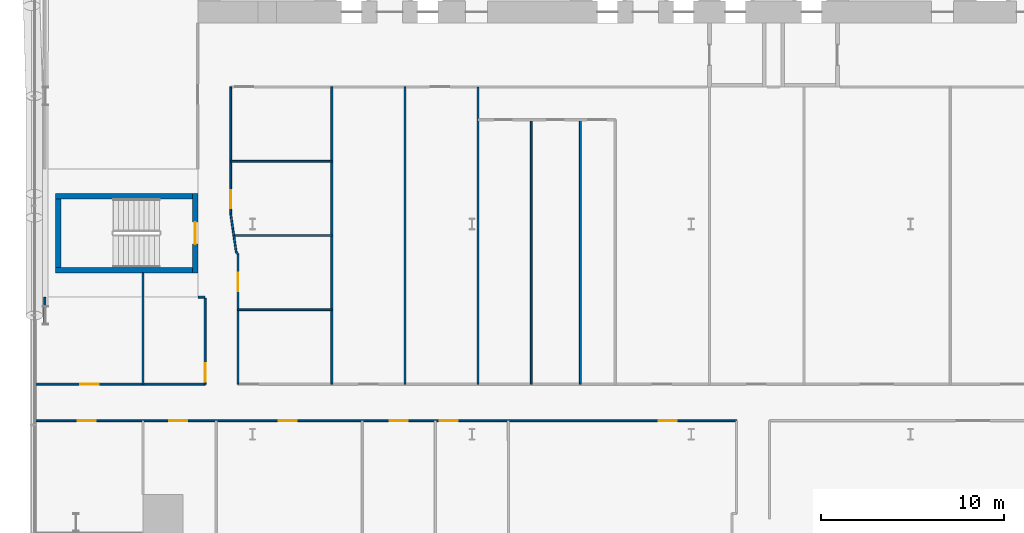
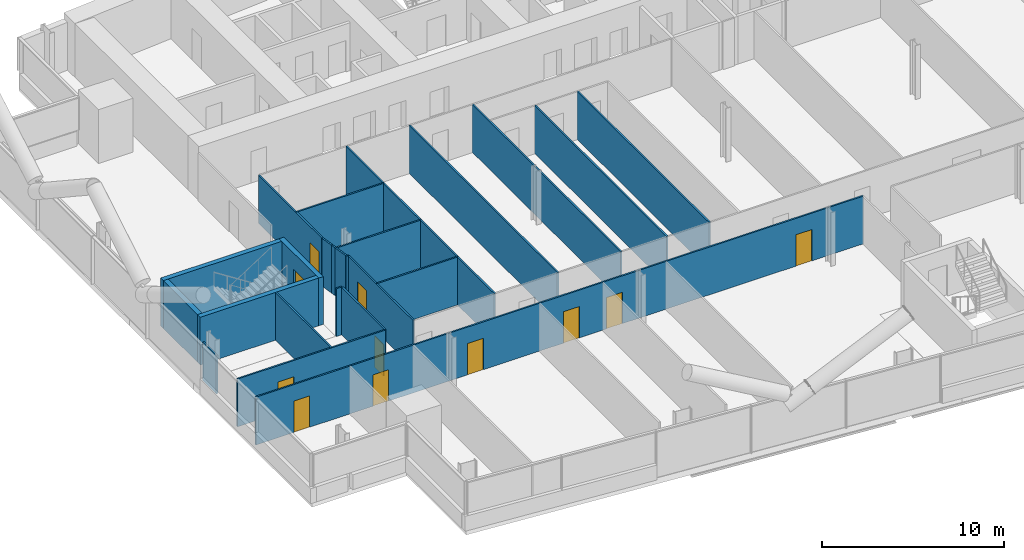
# One storey, part 13 of 27: 24 walls, 11 doors, 11 openings.
"""IFC4 building model written with IfcOpenShell, lengths in metres."""

import ifcopenshell
import ifcopenshell.guid

model = None  # the IFC model being written
_history = None  # IfcOwnerHistory: only IFC2X3 demands one
_inside = {}  # id of a spatial element -> (the spatial element, [elements in it])
_under = {}  # id of a project, library or spatial element -> (it, [spatial elements below it])
_declared = {}  # id of a project -> (the project, [libraries it declares])
_typed = {}  # id of a type object -> (the type object, [elements of that type])
_made_of = {}  # id of a material, layer set ... -> (it, [elements and type objects made of it])


def new_model(schema):
    """Start an empty IFC model of exactly this schema.

    Asked for "IFC4X3", IfcOpenShell would pick the latest addendum, in which some entities
    have other attributes; the version numbers below select the first issue.
    IFC2X3 requires an IfcOwnerHistory on every rooted entity: one is made here for all.
    """
    global model, _history
    if schema == "IFC4X3":
        model = ifcopenshell.file(schema_version=(4, 3, 0, 0))
    else:
        model = ifcopenshell.file(schema=schema)
    _inside.clear()
    _under.clear()
    _declared.clear()
    _typed.clear()
    _made_of.clear()
    _history = None
    if model.schema == "IFC2X3":
        org = make("IfcOrganization", Name="unknown")
        user = make(
            "IfcPersonAndOrganization",
            ThePerson=make("IfcPerson", FamilyName="unknown"),
            TheOrganization=org,
        )
        app = make(
            "IfcApplication",
            ApplicationDeveloper=org,
            Version="unknown",
            ApplicationFullName="unknown",
            ApplicationIdentifier="unknown",
        )
        _history = make(
            "IfcOwnerHistory",
            OwningUser=user,
            OwningApplication=app,
            ChangeAction="ADDED",
            CreationDate=0,
        )
    return model


def make(cls, **values):
    """One entity of the class cls with the attributes given. An attribute that is None is left unset."""
    return model.create_entity(
        cls, **{name: value for name, value in values.items() if value is not None}
    )


def rooted(cls, **values):
    """An entity with a GlobalId (a new one), such as an element, a storey or a relation."""
    return make(cls, GlobalId=ifcopenshell.guid.new(), OwnerHistory=_history, **values)


def si_unit(unit_type, name, prefix=None):
    """IfcSIUnit, for example si_unit("LENGTHUNIT", "METRE", prefix="MILLI")."""
    return make("IfcSIUnit", UnitType=unit_type, Prefix=prefix, Name=name)


def assignment(units):
    """IfcUnitAssignment: the units of a project."""
    return None if units is None else make("IfcUnitAssignment", Units=units)


def point(xyz):
    """IfcCartesianPoint."""
    return None if xyz is None else make("IfcCartesianPoint", Coordinates=xyz)


def direction(xyz):
    """IfcDirection."""
    return None if xyz is None else make("IfcDirection", DirectionRatios=xyz)


def frame(location, z_axis=None, x_axis=None):
    """IfcAxis2Placement3D, a coordinate frame: its origin and axes. An axis left out is left unset."""
    return make(
        "IfcAxis2Placement3D",
        Location=point(location),
        Axis=direction(z_axis),
        RefDirection=direction(x_axis),
    )


def frame_2d(location, x_axis=None):
    """IfcAxis2Placement2D, a coordinate frame in the plane: its origin and x axis."""
    return make(
        "IfcAxis2Placement2D", Location=point(location), RefDirection=direction(x_axis)
    )


def origin():
    """The frame at (0, 0, 0) with its axes left unset."""
    return frame((0.0, 0.0, 0.0))


def place(relative_to, where):
    """IfcLocalPlacement: puts the frame where relative to a parent placement (None: the world)."""
    return make(
        "IfcLocalPlacement", PlacementRelTo=relative_to, RelativePlacement=where
    )


def context(
    kind, dimensions, precision=None, world=None, true_north=None, identifier=None
):
    """IfcGeometricRepresentationContext, for example the 3D "Model" context."""
    return make(
        "IfcGeometricRepresentationContext",
        ContextIdentifier=identifier,
        ContextType=kind,
        CoordinateSpaceDimension=dimensions,
        Precision=precision,
        WorldCoordinateSystem=world,
        TrueNorth=true_north,
    )


def subcontext(parent, identifier, kind, view, scale=None):
    """IfcGeometricRepresentationSubContext, for example "Body" below "Model"."""
    return make(
        "IfcGeometricRepresentationSubContext",
        ContextIdentifier=identifier,
        ContextType=kind,
        ParentContext=parent,
        TargetScale=scale,
        TargetView=view,
    )


def project(units=None, contexts=None):
    """IfcProject with its units and contexts."""
    return rooted(
        "IfcProject",
        Name="project",
        RepresentationContexts=contexts,
        UnitsInContext=assignment(units),
    )


def spatial(cls, under=None, at=None, **own):
    """A site, building, storey or space (cls), placed at a placement, below another one or the project."""
    s = rooted(cls, ObjectPlacement=at, **own)
    if under is not None:
        _under.setdefault(under.id(), (under, []))[1].append(s)
    return s


def profile(cls, at=None, kind="AREA", **sizes):
    """A parametric profile (cls). Its sizes go by their IFC names, for example OverallWidth=200.0."""
    return make(cls, ProfileType=kind, Position=at, **sizes)


def rectangle(**sizes):
    """IfcRectangleProfileDef."""
    return profile("IfcRectangleProfileDef", **sizes)


def extrude(swept, where, along, depth):
    """IfcExtrudedAreaSolid: the profile swept, set in the frame where, extruded along a direction by depth."""
    return make(
        "IfcExtrudedAreaSolid",
        SweptArea=swept,
        Position=where,
        ExtrudedDirection=direction(along),
        Depth=depth,
    )


def shape(context_of_items, identifier, shape_type, items):
    """IfcShapeRepresentation: the items that make up one representation, for example the "Body"."""
    return make(
        "IfcShapeRepresentation",
        ContextOfItems=context_of_items,
        RepresentationIdentifier=identifier,
        RepresentationType=shape_type,
        Items=items,
    )


def material(Name=None, Category=None):
    """IfcMaterial."""
    return make("IfcMaterial", Name=Name, Category=Category)


def layer(
    of_material, thickness, ventilated=None, Name=None, Category=None, Priority=None
):
    """IfcMaterialLayer: one layer of a wall or slab, of a material (None: an air gap)."""
    return make(
        "IfcMaterialLayer",
        Material=of_material,
        LayerThickness=thickness,
        IsVentilated=ventilated,
        Name=Name,
        Category=Category,
        Priority=Priority,
    )


def layer_set(layers, Name=None):
    """IfcMaterialLayerSet."""
    return make("IfcMaterialLayerSet", MaterialLayers=layers, LayerSetName=Name)


def made_of(thing, what):
    """Note that an element or type object is made of a material, layer set ...; save() writes the relation."""
    if what is not None:
        _made_of.setdefault(what.id(), (what, []))[1].append(thing)
    return thing


def type_object(cls, material=None, **own):
    """A type object (cls), such as IfcWallType, which elements share."""
    return made_of(rooted(cls, **own), material)


def element(
    cls,
    number,
    at=None,
    inside=None,
    cuts=None,
    type_object=None,
    material=None,
    context=None,
    identifier="Body",
    shape_type=None,
    held_by="IfcProductDefinitionShape",
    body=None,
    shapes=None,
    **own,
):
    """One element of the class cls, such as IfcWall. Its Tag is "e" and its number.

    at: its placement. inside: the storey or other place that contains it. cuts: it is an
    opening in that element (IfcRelVoidsElement). A single representation is given by context,
    identifier, shape_type and body (its items); several are given by shapes. held_by: the class
    of the entity that holds the representations. save() writes the other relations.
    """
    e = rooted(cls, Tag="e%d" % number, ObjectPlacement=at, **own)
    if body is not None:
        shapes = [shape(context, identifier, shape_type, body)]
    if shapes is not None:
        e.Representation = make(held_by, Representations=shapes)
    if inside is not None:
        _inside.setdefault(inside.id(), (inside, []))[1].append(e)
    if cuts is not None:
        rooted(
            "IfcRelVoidsElement", RelatingBuildingElement=cuts, RelatedOpeningElement=e
        )
    if type_object is not None:
        _typed.setdefault(type_object.id(), (type_object, []))[1].append(e)
    return made_of(e, material)


def fill(opening, filler):
    """IfcRelFillsElement: the door or window that sits in an opening."""
    return rooted(
        "IfcRelFillsElement",
        RelatingOpeningElement=opening,
        RelatedBuildingElement=filler,
    )


def aggregate(whole, parts):
    """IfcRelAggregates: a whole, such as a stair, and the parts it consists of."""
    return rooted("IfcRelAggregates", RelatingObject=whole, RelatedObjects=parts)


def save(model, path):
    """Write the relations noted so far, then the file.

    IfcRelAggregates (storeys below a building ...), IfcRelContainedInSpatialStructure (elements
    in a storey), IfcRelDefinesByType, IfcRelAssociatesMaterial and IfcRelDeclares: one each for
    every whole, place, type object, material and project.
    """
    for whole, parts in _under.values():
        aggregate(whole, parts)
    for where, things in _inside.values():
        rooted(
            "IfcRelContainedInSpatialStructure",
            RelatedElements=things,
            RelatingStructure=where,
        )
    for kind, things in _typed.values():
        rooted("IfcRelDefinesByType", RelatedObjects=things, RelatingType=kind)
    for what, things in _made_of.values():
        rooted("IfcRelAssociatesMaterial", RelatedObjects=things, RelatingMaterial=what)
    for by, libraries in _declared.values():
        rooted("IfcRelDeclares", RelatingContext=by, RelatedDefinitions=libraries)
    model.write(path)


model = new_model("IFC4")

# Units and contexts
model_context = context("Model", 3, precision=1e-05, world=origin(), true_north=direction((0.0, 1.0)))
body_context = subcontext(model_context, "Body", "Model", "MODEL_VIEW")
ifc_project = project(units=[si_unit("LENGTHUNIT", "METRE"), si_unit("AREAUNIT", "SQUARE_METRE"), si_unit("VOLUMEUNIT", "CUBIC_METRE"), si_unit("PLANEANGLEUNIT", "RADIAN"), si_unit("MASSUNIT", "GRAM", prefix="KILO")], contexts=[model_context])

# Site, building, storey
site_placement = place(None, origin())
site = spatial("IfcSite", under=ifc_project, at=site_placement, CompositionType="ELEMENT")
building_placement = place(site_placement, origin())
building = spatial("IfcBuilding", under=site, at=building_placement, Name="Wharfspan Tower", CompositionType="ELEMENT")
storey_placement = place(building_placement, frame((0.0, 0.0, 48.699951)))
storey = spatial("IfcBuildingStorey", under=building, at=storey_placement, Name="L08", CompositionType="ELEMENT", Elevation=48.699951)

# Wall, openings, doors
ifc_material_1 = material(Name="Gypsum board on steel studs", Category="steel")
ifc_layer_1 = layer(ifc_material_1, 0.100098)
ifc_layer_set_1 = layer_set([ifc_layer_1], Name="Gypsum board on steel studs")
wall_type_1 = type_object("IfcWallType", Name="Compartment wall 100 EI 60", PredefinedType="PARTITIONING", material=ifc_layer_set_1)
wall_1_placement = place(storey_placement, frame((0.02002, 12.235107, 0.0), z_axis=(0.0, 0.0, 1.0), x_axis=(1.0, 0.0, 0.0)))
wall_1 = element("IfcWall", 1, at=wall_1_placement, inside=storey, type_object=wall_type_1, Name="Partition L08.w001", PredefinedType="PARTITIONING", context=body_context, shape_type="SweptSolid", body=[
    extrude(rectangle(XDim=38.459961, YDim=0.100098, at=frame_2d((19.22998, 0.0))), origin(), (0.0, 0.0, 1.0), 3.199951),
])
opening_1_placement = place(wall_1_placement, frame((2.405029, 0.0, 0.0)))
opening_1 = element("IfcOpeningElement", 2, at=opening_1_placement, cuts=wall_1, Name="Opening A1-02", PredefinedType="OPENING", context=body_context, shape_type="SweptSolid", body=[
    extrude(rectangle(XDim=1.0, YDim=2.100098, at=frame_2d((0.5, 1.050049))), frame((0.0, 0.060059, 0.0), z_axis=(0.0, -1.0, 0.0), x_axis=(1.0, 0.0, 0.0)), (0.0, 0.0, 1.0), 0.120117),
])
opening_2_placement = place(wall_1_placement, frame((7.405029, 0.0, 0.0)))
opening_2 = element("IfcOpeningElement", 3, at=opening_2_placement, cuts=wall_1, Name="Opening A1-03", PredefinedType="OPENING", context=body_context, shape_type="SweptSolid", body=[
    extrude(rectangle(XDim=1.0, YDim=2.100098, at=frame_2d((0.5, 1.050049))), frame((0.0, 0.060059, 0.0), z_axis=(0.0, -1.0, 0.0), x_axis=(1.0, 0.0, 0.0)), (0.0, 0.0, 1.0), 0.120117),
])
opening_3_placement = place(wall_1_placement, frame((13.405029, 0.0, 0.0)))
opening_3 = element("IfcOpeningElement", 4, at=opening_3_placement, cuts=wall_1, Name="Opening A1-04", PredefinedType="OPENING", context=body_context, shape_type="SweptSolid", body=[
    extrude(rectangle(XDim=1.0, YDim=2.100098, at=frame_2d((0.5, 1.050049))), frame((0.0, 0.060059, 0.0), z_axis=(0.0, -1.0, 0.0), x_axis=(1.0, 0.0, 0.0)), (0.0, 0.0, 1.0), 0.120117),
])
opening_4_placement = place(wall_1_placement, frame((19.47998, 0.0, 0.0)))
opening_4 = element("IfcOpeningElement", 5, at=opening_4_placement, cuts=wall_1, Name="Opening A1-05", PredefinedType="OPENING", context=body_context, shape_type="SweptSolid", body=[
    extrude(rectangle(XDim=1.0, YDim=2.100098, at=frame_2d((0.5, 1.050049))), frame((0.0, 0.060059, 0.0), z_axis=(0.0, -1.0, 0.0), x_axis=(1.0, 0.0, 0.0)), (0.0, 0.0, 1.0), 0.120117),
])
opening_5_placement = place(wall_1_placement, frame((22.205078, 0.0, 0.0)))
opening_5 = element("IfcOpeningElement", 6, at=opening_5_placement, cuts=wall_1, Name="Opening A1-06", PredefinedType="OPENING", context=body_context, shape_type="SweptSolid", body=[
    extrude(rectangle(XDim=1.0, YDim=2.100098, at=frame_2d((0.5, 1.050049))), frame((0.0, 0.060059, 0.0), z_axis=(0.0, -1.0, 0.0), x_axis=(1.0, 0.0, 0.0)), (0.0, 0.0, 1.0), 0.120117),
])
opening_6_placement = place(wall_1_placement, frame((34.199951, 0.0, 0.0)))
opening_6 = element("IfcOpeningElement", 7, at=opening_6_placement, cuts=wall_1, Name="Opening A1-07", PredefinedType="OPENING", context=body_context, shape_type="SweptSolid", body=[
    extrude(rectangle(XDim=1.0, YDim=2.100098, at=frame_2d((0.5, 1.050049))), frame((0.0, 0.060059, 0.0), z_axis=(0.0, -1.0, 0.0), x_axis=(1.0, 0.0, 0.0)), (0.0, 0.0, 1.0), 0.120117),
])
ifc_material_2 = material(Name="Fire-rated timber door leaf in steel frame", Category="steel")
door_type_1 = type_object("IfcDoorType", Name="Door 1000 FD30S Left", OperationType="SINGLE_SWING_LEFT", PredefinedType="DOOR", material=ifc_material_2)
door_1_placement = place(opening_1_placement, origin())
door_1 = element("IfcDoor", 8, at=door_1_placement, inside=storey, type_object=door_type_1, Name="Door A1-02", OperationType="SINGLE_SWING_LEFT", OverallHeight=2.100098, OverallWidth=1.0, PredefinedType="DOOR", context=body_context, shape_type="SweptSolid", body=[
    extrude(rectangle(XDim=1.0, YDim=2.100098, at=frame_2d((0.5, 1.050049))), frame((0.0, 0.024902, 0.0), z_axis=(0.0, -1.0, 0.0), x_axis=(1.0, 0.0, 0.0)), (0.0, 0.0, 1.0), 0.050049),
])
fill(opening_1, door_1)
door_2_placement = place(opening_2_placement, origin())
door_2 = element("IfcDoor", 9, at=door_2_placement, inside=storey, type_object=door_type_1, Name="Door A1-03", OperationType="SINGLE_SWING_LEFT", OverallHeight=2.100098, OverallWidth=1.0, PredefinedType="DOOR", context=body_context, shape_type="SweptSolid", body=[
    extrude(rectangle(XDim=1.0, YDim=2.100098, at=frame_2d((0.5, 1.050049))), frame((0.0, 0.024902, 0.0), z_axis=(0.0, -1.0, 0.0), x_axis=(1.0, 0.0, 0.0)), (0.0, 0.0, 1.0), 0.050049),
])
fill(opening_2, door_2)
door_3_placement = place(opening_3_placement, origin())
door_3 = element("IfcDoor", 10, at=door_3_placement, inside=storey, type_object=door_type_1, Name="Door A1-04", OperationType="SINGLE_SWING_LEFT", OverallHeight=2.100098, OverallWidth=1.0, PredefinedType="DOOR", context=body_context, shape_type="SweptSolid", body=[
    extrude(rectangle(XDim=1.0, YDim=2.100098, at=frame_2d((0.5, 1.050049))), frame((0.0, 0.024902, 0.0), z_axis=(0.0, -1.0, 0.0), x_axis=(1.0, 0.0, 0.0)), (0.0, 0.0, 1.0), 0.050049),
])
fill(opening_3, door_3)
door_type_2 = type_object("IfcDoorType", Name="Door 1000 FD30S Right", OperationType="SINGLE_SWING_RIGHT", PredefinedType="DOOR", material=ifc_material_2)
door_4_placement = place(opening_4_placement, origin())
door_4 = element("IfcDoor", 11, at=door_4_placement, inside=storey, type_object=door_type_2, Name="Door A1-05", OperationType="SINGLE_SWING_RIGHT", OverallHeight=2.100098, OverallWidth=1.0, PredefinedType="DOOR", context=body_context, shape_type="SweptSolid", body=[
    extrude(rectangle(XDim=1.0, YDim=2.100098, at=frame_2d((0.5, 1.050049))), frame((0.0, 0.024902, 0.0), z_axis=(0.0, -1.0, 0.0), x_axis=(1.0, 0.0, 0.0)), (0.0, 0.0, 1.0), 0.050049),
])
fill(opening_4, door_4)
door_5_placement = place(opening_5_placement, origin())
door_5 = element("IfcDoor", 12, at=door_5_placement, inside=storey, type_object=door_type_2, Name="Door A1-06", OperationType="SINGLE_SWING_RIGHT", OverallHeight=2.100098, OverallWidth=1.0, PredefinedType="DOOR", context=body_context, shape_type="SweptSolid", body=[
    extrude(rectangle(XDim=1.0, YDim=2.100098, at=frame_2d((0.5, 1.050049))), frame((0.0, 0.024902, 0.0), z_axis=(0.0, -1.0, 0.0), x_axis=(1.0, 0.0, 0.0)), (0.0, 0.0, 1.0), 0.050049),
])
fill(opening_5, door_5)
door_6_placement = place(opening_6_placement, origin())
door_6 = element("IfcDoor", 13, at=door_6_placement, inside=storey, type_object=door_type_2, Name="Door A1-07", OperationType="SINGLE_SWING_RIGHT", OverallHeight=2.100098, OverallWidth=1.0, PredefinedType="DOOR", context=body_context, shape_type="SweptSolid", body=[
    extrude(rectangle(XDim=1.0, YDim=2.100098, at=frame_2d((0.5, 1.050049))), frame((0.0, 0.024902, 0.0), z_axis=(0.0, -1.0, 0.0), x_axis=(1.0, 0.0, 0.0)), (0.0, 0.0, 1.0), 0.050049),
])
fill(opening_6, door_6)

# Wall, opening, door
wall_2_placement = place(storey_placement, frame((0.02002, 14.23999, 0.0), z_axis=(0.0, 0.0, 1.0), x_axis=(1.0, 0.0, 0.0)))
wall_2 = element("IfcWall", 14, at=wall_2_placement, inside=storey, type_object=wall_type_1, Name="Partition L08.w002", PredefinedType="PARTITIONING", context=body_context, shape_type="SweptSolid", body=[
    extrude(rectangle(XDim=9.379883, YDim=0.100098, at=frame_2d((4.689941, 0.0))), origin(), (0.0, 0.0, 1.0), 3.199951),
])
opening_7_placement = place(wall_2_placement, frame((2.560059, 0.0, 0.0)))
opening_7 = element("IfcOpeningElement", 15, at=opening_7_placement, cuts=wall_2, Name="Opening A1-10", PredefinedType="OPENING", context=body_context, shape_type="SweptSolid", body=[
    extrude(rectangle(XDim=1.0, YDim=2.100098, at=frame_2d((0.5, 1.050049))), frame((0.0, 0.060059, 0.0), z_axis=(0.0, -1.0, 0.0), x_axis=(1.0, 0.0, 0.0)), (0.0, 0.0, 1.0), 0.120117),
])
door_7_placement = place(opening_7_placement, origin())
door_7 = element("IfcDoor", 16, at=door_7_placement, inside=storey, type_object=door_type_1, Name="Door A1-10", OperationType="SINGLE_SWING_LEFT", OverallHeight=2.100098, OverallWidth=1.0, PredefinedType="DOOR", context=body_context, shape_type="SweptSolid", body=[
    extrude(rectangle(XDim=1.0, YDim=2.100098, at=frame_2d((0.5, 1.050049))), frame((0.0, 0.024902, 0.0), z_axis=(0.0, -1.0, 0.0), x_axis=(1.0, 0.0, 0.0)), (0.0, 0.0, 1.0), 0.050049),
])
fill(opening_7, door_7)

# Walls
wall_3_placement = place(storey_placement, frame((6.0, 14.23999, 0.0), z_axis=(0.0, 0.0, 1.0), x_axis=(0.0, 1.0, 0.0)))
element("IfcWall", 17, at=wall_3_placement, inside=storey, type_object=wall_type_1, Name="Partition L08.w007", PredefinedType="PARTITIONING", context=body_context, shape_type="SweptSolid", body=[
    extrude(rectangle(XDim=6.084961, YDim=0.100098, at=frame_2d((3.04248, 0.0))), origin(), (0.0, 0.0, 1.0), 3.199951),
])
wall_4_placement = place(storey_placement, frame((9.02002, 19.0, 0.0), z_axis=(0.0, 0.0, 1.0), x_axis=(1.0, 0.0, 0.0)))
element("IfcWall", 18, at=wall_4_placement, inside=storey, type_object=wall_type_1, Name="Partition L08.w009", PredefinedType="PARTITIONING", context=body_context, shape_type="SweptSolid", body=[
    extrude(rectangle(XDim=0.369873, YDim=0.100098, at=frame_2d((0.185059, 0.0))), origin(), (0.0, 0.0, 1.0), 3.199951),
])

# Wall, opening, door
wall_5_placement = place(storey_placement, frame((9.399902, 14.23999, 0.0), z_axis=(0.0, 0.0, 1.0), x_axis=(0.0, 1.0, 0.0)))
wall_5 = element("IfcWall", 19, at=wall_5_placement, inside=storey, type_object=wall_type_1, Name="Partition L08.w010", PredefinedType="PARTITIONING", context=body_context, shape_type="SweptSolid", body=[
    extrude(rectangle(XDim=4.689941, YDim=0.100098, at=frame_2d((2.344971, 0.0))), origin(), (0.0, 0.0, 1.0), 3.199951),
])
opening_8_placement = place(wall_5_placement, frame((0.140381, 0.0, 0.0)))
opening_8 = element("IfcOpeningElement", 20, at=opening_8_placement, cuts=wall_5, Name="Opening A1-19", PredefinedType="OPENING", context=body_context, shape_type="SweptSolid", body=[
    extrude(rectangle(XDim=1.0, YDim=2.100098, at=frame_2d((0.5, 1.050049))), frame((0.0, 0.060059, 0.0), z_axis=(0.0, -1.0, 0.0), x_axis=(1.0, 0.0, 0.0)), (0.0, 0.0, 1.0), 0.120117),
])
door_8_placement = place(opening_8_placement, origin())
door_8 = element("IfcDoor", 21, at=door_8_placement, inside=storey, type_object=door_type_1, Name="Door A1-19", OperationType="SINGLE_SWING_LEFT", OverallHeight=2.100098, OverallWidth=1.0, PredefinedType="DOOR", context=body_context, shape_type="SweptSolid", body=[
    extrude(rectangle(XDim=1.0, YDim=2.100098, at=frame_2d((0.5, 1.050049))), frame((0.0, 0.024902, 0.0), z_axis=(0.0, -1.0, 0.0), x_axis=(1.0, 0.0, 0.0)), (0.0, 0.0, 1.0), 0.050049),
])
fill(opening_8, door_8)

wall_6_placement = place(storey_placement, frame((10.800049, 23.550049, 0.0), z_axis=(0.0, 0.0, 1.0), x_axis=(0.0, 1.0, 0.0)))
wall_6 = element("IfcWall", 22, at=wall_6_placement, inside=storey, type_object=wall_type_1, Name="Partition L08.w012", PredefinedType="PARTITIONING", context=body_context, shape_type="SweptSolid", body=[
    extrude(rectangle(XDim=6.949951, YDim=0.100098, at=frame_2d((3.475098, 0.0))), origin(), (0.0, 0.0, 1.0), 3.199951),
])
opening_9_placement = place(wall_6_placement, frame((0.307861, 0.0, 0.0)))
opening_9 = element("IfcOpeningElement", 23, at=opening_9_placement, cuts=wall_6, Name="Opening A1-21", PredefinedType="OPENING", context=body_context, shape_type="SweptSolid", body=[
    extrude(rectangle(XDim=1.0, YDim=2.100098, at=frame_2d((0.5, 1.050049))), frame((0.0, 0.060059, 0.0), z_axis=(0.0, -1.0, 0.0), x_axis=(1.0, 0.0, 0.0)), (0.0, 0.0, 1.0), 0.120117),
])
door_9_placement = place(opening_9_placement, origin())
door_9 = element("IfcDoor", 24, at=door_9_placement, inside=storey, type_object=door_type_1, Name="Door A1-21", OperationType="SINGLE_SWING_LEFT", OverallHeight=2.100098, OverallWidth=1.0, PredefinedType="DOOR", context=body_context, shape_type="SweptSolid", body=[
    extrude(rectangle(XDim=1.0, YDim=2.100098, at=frame_2d((0.5, 1.050049))), frame((0.0, 0.024902, 0.0), z_axis=(0.0, -1.0, 0.0), x_axis=(1.0, 0.0, 0.0)), (0.0, 0.0, 1.0), 0.050049),
])
fill(opening_9, door_9)

# Walls
wall_7_placement = place(storey_placement, frame((10.800049, 26.435059, 0.0), z_axis=(0.0, 0.0, 1.0), x_axis=(1.0, 0.0, 0.0)))
element("IfcWall", 25, at=wall_7_placement, inside=storey, type_object=wall_type_1, Name="Partition L08.w013", PredefinedType="PARTITIONING", context=body_context, shape_type="SweptSolid", body=[
    extrude(rectangle(XDim=5.534912, YDim=0.100098, at=frame_2d((2.767578, 0.0))), origin(), (0.0, 0.0, 1.0), 3.199951),
])
wall_8_placement = place(storey_placement, frame((10.919922, 22.705078, 0.0), z_axis=(0.0, 0.0, 1.0), x_axis=(-0.14046, 0.990086, 0.0)))
element("IfcWall", 26, at=wall_8_placement, inside=storey, type_object=wall_type_1, Name="Partition L08.w015", PredefinedType="PARTITIONING", context=body_context, shape_type="SweptSolid", body=[
    extrude(rectangle(XDim=0.853516, YDim=0.100098, at=frame_2d((0.426758, 0.0))), origin(), (0.0, 0.0, 1.0), 3.199951),
])
wall_9_placement = place(storey_placement, frame((10.969971, 22.370117, 0.0), z_axis=(0.0, 0.0, 1.0), x_axis=(-0.147776, 0.989018, 0.0)))
element("IfcWall", 27, at=wall_9_placement, inside=storey, type_object=wall_type_1, Name="Partition L08.w016", PredefinedType="PARTITIONING", context=body_context, shape_type="SweptSolid", body=[
    extrude(rectangle(XDim=0.338623, YDim=0.100098, at=frame_2d((0.169434, 0.0))), origin(), (0.0, 0.0, 1.0), 3.199951),
])
wall_10_placement = place(storey_placement, frame((10.969971, 22.370117, 0.0), z_axis=(0.0, 0.0, 1.0), x_axis=(1.0, 0.0, 0.0)))
element("IfcWall", 28, at=wall_10_placement, inside=storey, type_object=wall_type_1, Name="Partition L08.w017", PredefinedType="PARTITIONING", context=body_context, shape_type="SweptSolid", body=[
    extrude(rectangle(XDim=5.36499, YDim=0.100098, at=frame_2d((2.682617, 0.0))), origin(), (0.0, 0.0, 1.0), 3.199951),
])
wall_11_placement = place(storey_placement, frame((11.100098, 21.465088, 0.0), z_axis=(0.0, 0.0, 1.0), x_axis=(-0.142318, 0.989818, 0.0)))
element("IfcWall", 29, at=wall_11_placement, inside=storey, type_object=wall_type_1, Name="Partition L08.w018", PredefinedType="PARTITIONING", context=body_context, shape_type="SweptSolid", body=[
    extrude(rectangle(XDim=0.914307, YDim=0.100098, at=frame_2d((0.457031, 0.0))), origin(), (0.0, 0.0, 1.0), 3.199951),
])

# Wall, opening, door
wall_12_placement = place(storey_placement, frame((11.199951, 14.23999, 0.0), z_axis=(0.0, 0.0, 1.0), x_axis=(0.0, 1.0, 0.0)))
wall_12 = element("IfcWall", 30, at=wall_12_placement, inside=storey, type_object=wall_type_1, Name="Partition L08.w019", PredefinedType="PARTITIONING", context=body_context, shape_type="SweptSolid", body=[
    extrude(rectangle(XDim=7.110107, YDim=0.100098, at=frame_2d((3.555176, 0.0))), origin(), (0.0, 0.0, 1.0), 3.199951),
])
opening_10_placement = place(wall_12_placement, frame((5.084961, 0.0, 0.0)))
opening_10 = element("IfcOpeningElement", 31, at=opening_10_placement, cuts=wall_12, Name="Opening A1-20", PredefinedType="OPENING", context=body_context, shape_type="SweptSolid", body=[
    extrude(rectangle(XDim=1.0, YDim=2.100098, at=frame_2d((0.5, 1.050049))), frame((0.0, 0.060059, 0.0), z_axis=(0.0, -1.0, 0.0), x_axis=(1.0, 0.0, 0.0)), (0.0, 0.0, 1.0), 0.120117),
])
door_10_placement = place(opening_10_placement, origin())
door_10 = element("IfcDoor", 32, at=door_10_placement, inside=storey, type_object=door_type_2, Name="Door A1-20", OperationType="SINGLE_SWING_RIGHT", OverallHeight=2.100098, OverallWidth=1.0, PredefinedType="DOOR", context=body_context, shape_type="SweptSolid", body=[
    extrude(rectangle(XDim=1.0, YDim=2.100098, at=frame_2d((0.5, 1.050049))), frame((0.0, 0.024902, 0.0), z_axis=(0.0, -1.0, 0.0), x_axis=(1.0, 0.0, 0.0)), (0.0, 0.0, 1.0), 0.050049),
])
fill(opening_10, door_10)

# Walls
wall_13_placement = place(storey_placement, frame((11.199951, 18.304932, 0.0), z_axis=(0.0, 0.0, 1.0), x_axis=(1.0, 0.0, 0.0)))
element("IfcWall", 33, at=wall_13_placement, inside=storey, type_object=wall_type_1, Name="Partition L08.w021", PredefinedType="PARTITIONING", context=body_context, shape_type="SweptSolid", body=[
    extrude(rectangle(XDim=5.13501, YDim=0.100098, at=frame_2d((2.567383, 0.0))), origin(), (0.0, 0.0, 1.0), 3.199951),
])
wall_14_placement = place(storey_placement, frame((11.199951, 21.350098, 0.0), z_axis=(0.0, 0.0, 1.0), x_axis=(-0.65566, 0.755051, 0.0)))
element("IfcWall", 34, at=wall_14_placement, inside=storey, type_object=wall_type_1, Name="Partition L08.w022", PredefinedType="PARTITIONING", context=body_context, shape_type="SweptSolid", body=[
    extrude(rectangle(XDim=0.152344, YDim=0.100098, at=frame_2d((0.076172, 0.0))), origin(), (0.0, 0.0, 1.0), 3.199951),
])
for number, where, z_axis, x_axis, name in (
    (35, (16.334961, 14.23999, 0.0), (0.0, 0.0, 1.0), (0.0, 1.0, 0.0), "Partition L08.w023"),
    (36, (20.334961, 14.23999, 0.0), (0.0, 0.0, 1.0), (0.0, 1.0, 0.0), "Partition L08.w025"),
):
    element("IfcWall", number, at=place(storey_placement, frame(where, z_axis=z_axis, x_axis=x_axis)), inside=storey, type_object=wall_type_1, Name=name, PredefinedType="PARTITIONING", context=body_context, shape_type="SweptSolid", body=[
        extrude(rectangle(XDim=16.26001, YDim=0.100098, at=frame_2d((8.129883, 0.0))), origin(), (0.0, 0.0, 1.0), 3.199951),
    ])
wall_15_placement = place(storey_placement, frame((24.334961, 14.23999, 0.0), z_axis=(0.0, 0.0, 1.0), x_axis=(0.0, 1.0, 0.0)))
element("IfcWall", 37, at=wall_15_placement, inside=storey, type_object=wall_type_1, Name="Partition L08.w028", PredefinedType="PARTITIONING", context=body_context, shape_type="SweptSolid", body=[
    extrude(rectangle(XDim=16.25, YDim=0.100098, at=frame_2d((8.125, 0.0))), origin(), (0.0, 0.0, 1.0), 3.199951),
])
for number, where, z_axis, x_axis, name in (
    (38, (27.245117, 14.23999, 0.0), (0.0, 0.0, 1.0), (0.0, 1.0, 0.0), "Partition L08.w031"),
    (39, (29.935059, 14.23999, 0.0), (0.0, 0.0, 1.0), (0.0, 1.0, 0.0), "Partition L08.w032"),
):
    element("IfcWall", number, at=place(storey_placement, frame(where, z_axis=z_axis, x_axis=x_axis)), inside=storey, type_object=wall_type_1, Name=name, PredefinedType="PARTITIONING", context=body_context, shape_type="SweptSolid", body=[
        extrude(rectangle(XDim=14.459961, YDim=0.100098, at=frame_2d((7.22998, 0.0))), origin(), (0.0, 0.0, 1.0), 3.199951),
    ])
ifc_layer_2 = layer(ifc_material_1, 0.100098)
ifc_layer_set_2 = layer_set([ifc_layer_2], Name="Gypsum board on steel studs")
wall_type_2 = type_object("IfcWallType", Name="Partition 100", PredefinedType="PARTITIONING", material=ifc_layer_set_2)
wall_16_placement = place(storey_placement, frame((0.629883, 17.5, 0.0), z_axis=(0.0, 0.0, 1.0), x_axis=(0.0, 1.0, 0.0)))
element("IfcWall", 40, at=wall_16_placement, inside=storey, type_object=wall_type_2, Name="Partition L08.w003", PredefinedType="PARTITIONING", context=body_context, shape_type="SweptSolid", body=[
    extrude(rectangle(XDim=1.47998, YDim=0.100098, at=frame_2d((0.73999, 0.0))), origin(), (0.0, 0.0, 1.0), 2.580078),
])

# Wall, opening, door
ifc_material_3 = material(Name="Concrete C40/50", Category="concrete")
ifc_layer_3 = layer(ifc_material_3, 0.300049)
ifc_layer_set_3 = layer_set([ifc_layer_3], Name="Concrete C40/50")
wall_type_3 = type_object("IfcWallType", Name="Stair core wall 300", PredefinedType="SHEAR", material=ifc_layer_set_3)
wall_17_placement = place(storey_placement, frame((8.850098, 20.324951, 0.0), z_axis=(0.0, 0.0, 1.0), x_axis=(0.0, 1.0, 0.0)))
wall_17 = element("IfcWall", 41, at=wall_17_placement, inside=storey, type_object=wall_type_3, Name="ST3 stair enclosure wall L08", PredefinedType="SHEAR", context=body_context, shape_type="SweptSolid", body=[
    extrude(rectangle(XDim=4.350098, YDim=0.300049, at=frame_2d((2.175049, 0.0))), origin(), (0.0, 0.0, 1.0), 3.199951),
])
opening_11_placement = place(wall_17_placement, frame((1.574951, 0.0, 0.0)))
opening_11 = element("IfcOpeningElement", 42, at=opening_11_placement, cuts=wall_17, Name="Opening SD3.L08", PredefinedType="OPENING", context=body_context, shape_type="SweptSolid", body=[
    extrude(rectangle(XDim=1.199951, YDim=2.100098, at=frame_2d((0.600098, 1.050049))), frame((0.0, 0.159912, 0.0), z_axis=(0.0, -1.0, 0.0), x_axis=(1.0, 0.0, 0.0)), (0.0, 0.0, 1.0), 0.320068),
])
ifc_material_4 = material(Name="Steel door leaf", Category="steel")
door_type_3 = type_object("IfcDoorType", Name="Stair door 1200x2100", OperationType="SINGLE_SWING_LEFT", PredefinedType="DOOR", material=ifc_material_4)
door_11_placement = place(opening_11_placement, origin())
door_11 = element("IfcDoor", 43, at=door_11_placement, inside=storey, type_object=door_type_3, Name="sd:L08:ST3z1", OperationType="SINGLE_SWING_RIGHT", OverallHeight=2.100098, OverallWidth=1.199951, PredefinedType="DOOR", context=body_context, shape_type="SweptSolid", body=[
    extrude(rectangle(XDim=1.199951, YDim=2.100098, at=frame_2d((0.600098, 1.050049))), frame((0.0, 0.024902, 0.0), z_axis=(0.0, -1.0, 0.0), x_axis=(1.0, 0.0, 0.0)), (0.0, 0.0, 1.0), 0.050049),
])
fill(opening_11, door_11)

# Walls
for number, where, z_axis, x_axis, name in (
    (44, (1.199951, 20.475098, 0.0), (0.0, 0.0, 1.0), (1.0, 0.0, 0.0), "ST3 stair enclosure wall L08"),
    (45, (1.199951, 24.524902, 0.0), (0.0, 0.0, 1.0), (1.0, 0.0, 0.0), "ST3 stair enclosure wall L08"),
):
    element("IfcWall", number, at=place(storey_placement, frame(where, z_axis=z_axis, x_axis=x_axis)), inside=storey, type_object=wall_type_3, Name=name, PredefinedType="SHEAR", context=body_context, shape_type="SweptSolid", body=[
        extrude(rectangle(XDim=7.5, YDim=0.300049, at=frame_2d((3.75, 0.0))), origin(), (0.0, 0.0, 1.0), 3.199951),
    ])
wall_18_placement = place(storey_placement, frame((1.350098, 20.625, 0.0), z_axis=(0.0, 0.0, 1.0), x_axis=(0.0, 1.0, 0.0)))
element("IfcWall", 46, at=wall_18_placement, inside=storey, type_object=wall_type_3, Name="ST3 stair enclosure wall L08", PredefinedType="SHEAR", context=body_context, shape_type="SweptSolid", body=[
    extrude(rectangle(XDim=3.75, YDim=0.300049, at=frame_2d((1.875, 0.0))), origin(), (0.0, 0.0, 1.0), 3.199951),
])

save(model, "model.ifc")
